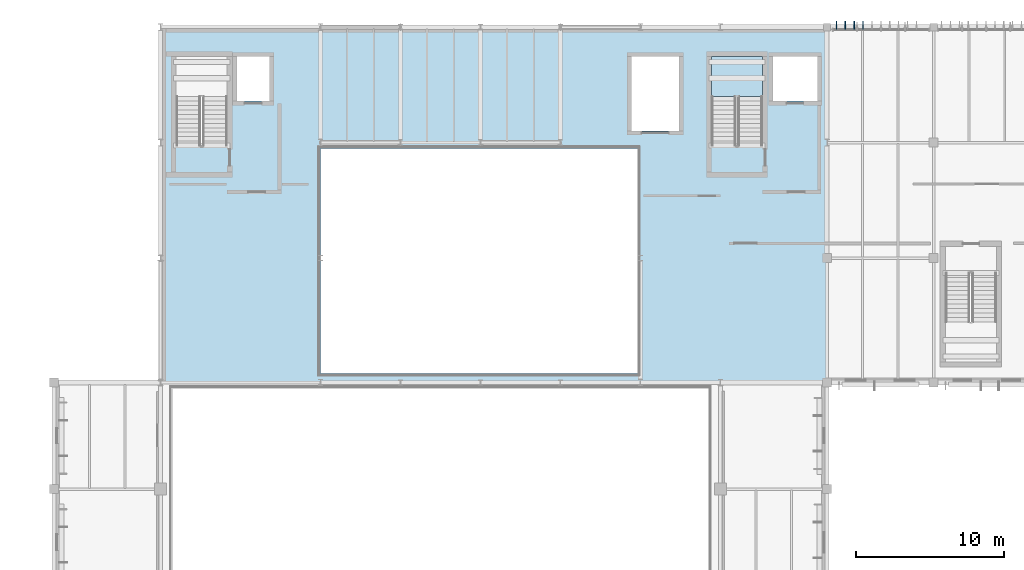
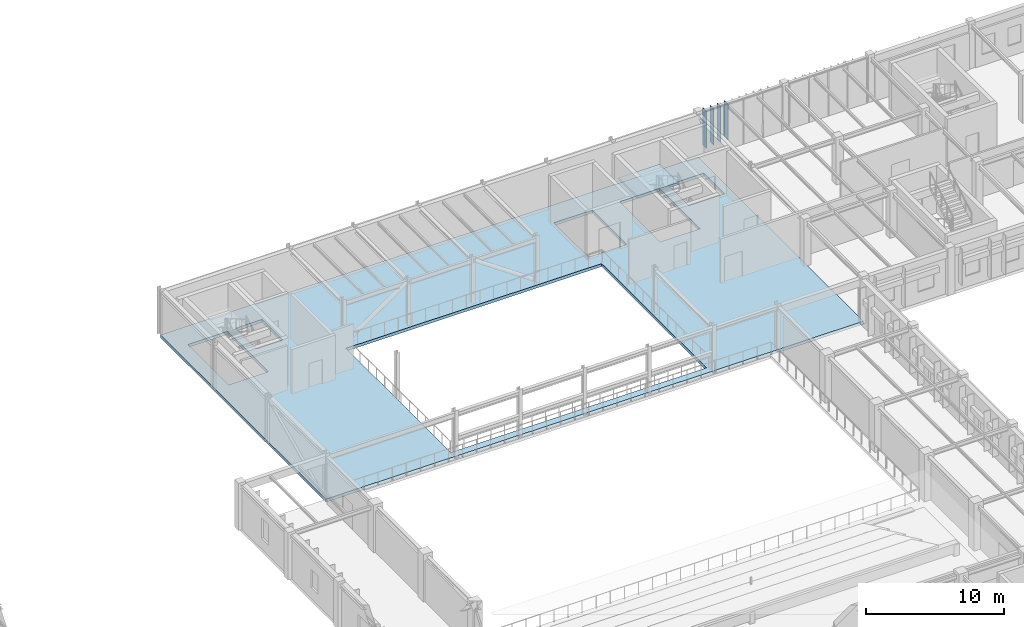
# One storey, part 28 of 104: 4 plates, 2 slabs, 1 element without a shape of its own.
"""IFC4 building model written with IfcOpenShell, lengths in metres."""

from ifc_helpers import new_model, si_unit, direction, frame, origin, origin_2d, place, context, subcontext, project, spatial, polyline, rectangle, outline, extrude, material, layer, layer_set, type_object, element, aggregate, save


model = new_model("IFC4")

# Units and contexts
model_context = context("Model", 3, precision=1e-05, world=origin(), true_north=direction((0.0, 1.0)))
body_context = subcontext(model_context, "Body", "Model", "MODEL_VIEW")
ifc_project = project(units=[si_unit("LENGTHUNIT", "METRE"), si_unit("AREAUNIT", "SQUARE_METRE"), si_unit("VOLUMEUNIT", "CUBIC_METRE"), si_unit("PLANEANGLEUNIT", "RADIAN"), si_unit("MASSUNIT", "GRAM", prefix="KILO")], contexts=[model_context])

# Site, building, storey
site_placement = place(None, origin())
site = spatial("IfcSite", under=ifc_project, at=site_placement, CompositionType="ELEMENT")
building_placement = place(site_placement, origin())
building = spatial("IfcBuilding", under=site, at=building_placement, Name="Tazoul Stagehouse", CompositionType="ELEMENT")
storey_placement = place(building_placement, frame((0.0, 0.0, 9.0)))
storey = spatial("IfcBuildingStorey", under=building, at=storey_placement, Name="L02", CompositionType="ELEMENT", Elevation=9.0)

# Stair, slab
ifc_material_1 = material(Name="Concrete C40/50", Category="concrete")
stair_type = type_object("IfcStairType", Name="Protected Core Dogleg Stair 4800", PredefinedType="HALF_TURN_STAIR", material=ifc_material_1)
stair_placement = place(storey_placement, origin())
stair = element("IfcStair", 1, at=stair_placement, inside=storey, type_object=stair_type, Name="L02 Core Escape Stair ST-01", PredefinedType="HALF_TURN_STAIR")
ifc_layer_1 = layer(ifc_material_1, 0.179931640625, Name="Concrete C40/50")
ifc_layer_set_1 = layer_set([ifc_layer_1], Name="Concrete C40/50")
slab_type_1 = type_object("IfcSlabType", Name="Core Half-Landing Slab 180", PredefinedType="LANDING", material=ifc_layer_set_1)
slab_1_placement = place(storey_placement, frame((0.0, 0.0, 1.89990234375)))
slab_1 = element("IfcSlab", 2, at=slab_1_placement, type_object=slab_type_1, Name="ST-01 landing 1", PredefinedType="LANDING", context=body_context, shape_type="SweptSolid", body=[
    extrude(outline(polyline([(98.25, 107.10009765625), (98.25, 109.800048828125), (94.800048828125, 109.800048828125), (94.800048828125, 107.10009765625), (98.25, 107.10009765625)])), origin(), (0.0, 0.0, 1.0), 0.2001953125),
])
aggregate(stair, [slab_1])

# Plates
ifc_material_2 = material(Name="Anodised Bronze Aluminium 6063-T6", Category="aluminium")
ifc_layer_2 = layer(ifc_material_2, 0.52001953125, Name="Anodised Bronze Aluminium 6063-T6")
ifc_layer_set_2 = layer_set([ifc_layer_2], Name="Anodised Bronze Aluminium 6063-T6")
plate_type_1 = type_object("IfcPlateType", Name="Parametric Terracotta-Bronze Solar Fin 520x3200", PredefinedType="USERDEFINED", material=ifc_layer_set_2)
for number, where, z_axis, x_axis, name in (
    (3, (103.840087890625, 111.919921875, 0.7099609375), (0.0, 0.0, 1.0), (1.0, 0.0, 0.0), "L02 Parametric Solar Fin SFN-18 (CW-V3-N1-L02-B1-02)"),
    (4, (104.43994140625, 111.919921875, 0.7099609375), (0.0, 0.0, 1.0), (1.0, 0.0, 0.0), "L02 Parametric Solar Fin SFN-18 (CW-V3-N1-L02-B1-03)"),
    (5, (105.0400390625, 111.919921875, 0.7099609375), (0.0, 0.0, 1.0), (1.0, 0.0, 0.0), "L02 Parametric Solar Fin SFN-18 (CW-V3-N1-L02-B1-04)"),
):
    element("IfcPlate", number, at=place(storey_placement, frame(where, z_axis=z_axis, x_axis=x_axis)), inside=storey, type_object=plate_type_1, Name=name, ObjectType="SOLAR FIN", PredefinedType="USERDEFINED", context=body_context, shape_type="SweptSolid", body=[
        extrude(rectangle(XDim=0.044921875, YDim=0.52001953125, at=origin_2d()), origin(), (0.0, 0.0, 1.0), 3.199951171875),
    ])
ifc_layer_3 = layer(ifc_material_2, 0.530029296875, Name="Anodised Bronze Aluminium 6063-T6")
ifc_layer_set_3 = layer_set([ifc_layer_3], Name="Anodised Bronze Aluminium 6063-T6")
plate_type_2 = type_object("IfcPlateType", Name="Parametric Terracotta-Bronze Solar Fin 530x3300", PredefinedType="USERDEFINED", material=ifc_layer_set_3)
plate_placement = place(storey_placement, frame((103.239990234375, 111.925048828125, 0.60986328125), z_axis=(0.0, 0.0, 1.0), x_axis=(1.0, 0.0, 0.0)))
element("IfcPlate", 6, at=plate_placement, inside=storey, type_object=plate_type_2, Name="L02 Parametric Solar Fin SFN-19 (CW-V3-N1-L02-B1-01)", ObjectType="SOLAR FIN", PredefinedType="USERDEFINED", context=body_context, shape_type="SweptSolid", body=[
    extrude(rectangle(XDim=0.044921875, YDim=0.530029296875, at=origin_2d()), origin(), (0.0, 0.0, 1.0), 3.300048828125),
])

# Slab
ifc_material_3 = material(Name="Concrete C35/45", Category="concrete")
ifc_layer_4 = layer(ifc_material_3, 0.260009765625, Name="Concrete C35/45")
ifc_layer_set_4 = layer_set([ifc_layer_4], Name="Concrete C35/45")
slab_type_2 = type_object("IfcSlabType", Name="Suspended Floor Slab 260", PredefinedType="FLOOR", material=ifc_layer_set_4)
slab_2_placement = place(storey_placement, frame((0.0, 0.0, -0.260009765625)))
element("IfcSlab", 7, at=slab_2_placement, inside=storey, type_object=slab_type_2, Name="L02 Suspended Floor Slab 260 (V2)", PredefinedType="FLOOR", context=body_context, shape_type="SweptSolid", body=[
    extrude(outline(polyline([(57.60009765625, 87.800048828125), (57.60009765625, 111.800048828125), (102.60009765625, 111.800048828125), (102.60009765625, 87.800048828125), (57.60009765625, 87.800048828125)]), holes=[polyline([(68.39990234375, 103.60009765625), (89.800048828125, 103.60009765625), (89.800048828125, 88.39990234375), (68.39990234375, 88.39990234375), (68.39990234375, 103.60009765625)]), polyline([(58.7099609375, 109.739990234375), (62.0400390625, 109.739990234375), (62.0400390625, 103.860107421875), (58.7099609375, 103.860107421875), (58.7099609375, 109.739990234375)]), polyline([(62.75, 109.800048828125), (64.949951171875, 109.800048828125), (64.949951171875, 106.800048828125), (62.75, 106.800048828125), (62.75, 109.800048828125)]), polyline([(94.860107421875, 109.739990234375), (98.18994140625, 109.739990234375), (98.18994140625, 103.860107421875), (94.860107421875, 103.860107421875), (94.860107421875, 109.739990234375)]), polyline([(89.39990234375, 109.800048828125), (92.60009765625, 109.800048828125), (92.60009765625, 104.800048828125), (89.39990234375, 104.800048828125), (89.39990234375, 109.800048828125)]), polyline([(98.949951171875, 109.800048828125), (101.949951171875, 109.800048828125), (101.949951171875, 106.800048828125), (98.949951171875, 106.800048828125), (98.949951171875, 109.800048828125)])]), origin(), (0.0, 0.0, 1.0), 0.260009765625),
])

save(model, "model.ifc")
